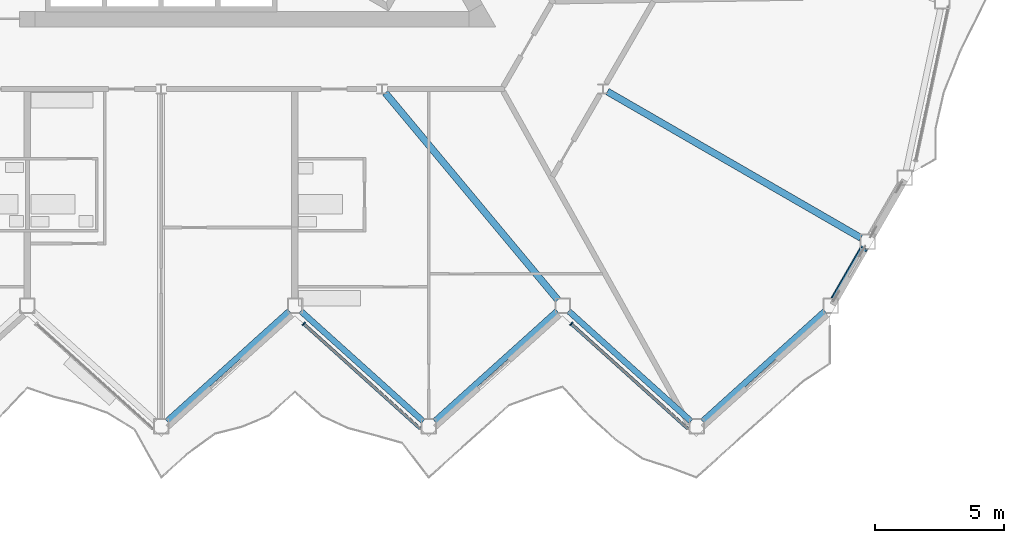
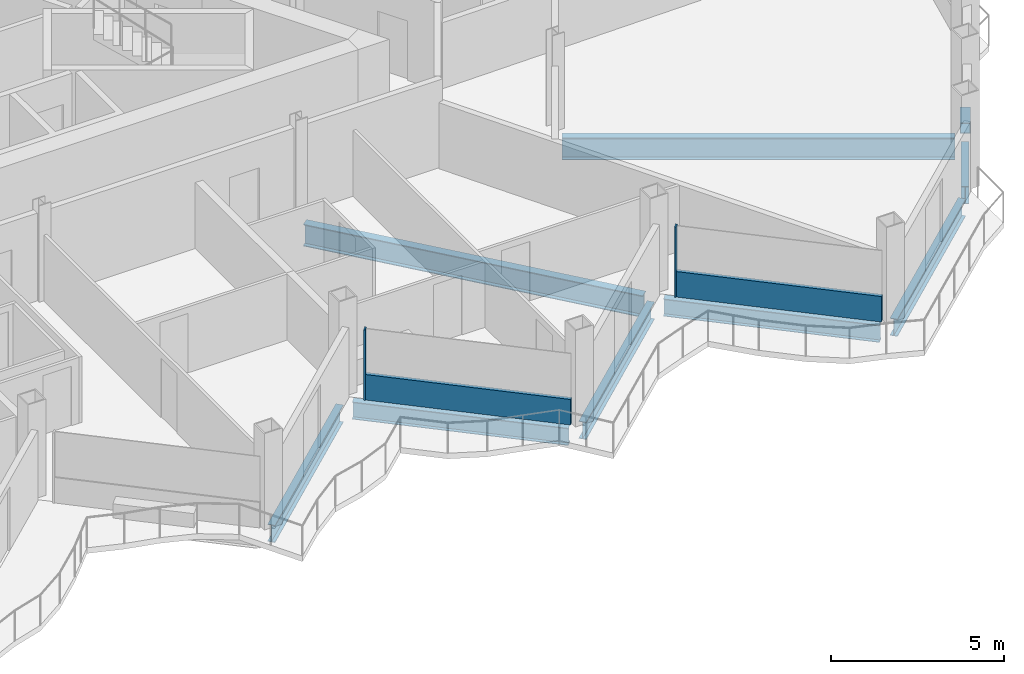
# One storey, part 7 of 26: 8 beams, 5 members, 2 elements without a shape of their own.
"""IFC4 building model written with IfcOpenShell, lengths in metres."""

from ifc_helpers import new_model, si_unit, direction, frame, origin, origin_2d, place, context, subcontext, project, spatial, rectangle, hollow_rectangle, i_section, extrude, material, layer, layer_set, material_profile, profile_set, type_object, element, aggregate, save


model = new_model("IFC4")

# Units and contexts
model_context = context("Model", 3, precision=1e-05, world=origin(), true_north=direction((0.0, 1.0)))
body_context = subcontext(model_context, "Body", "Model", "MODEL_VIEW")
ifc_project = project(units=[si_unit("LENGTHUNIT", "METRE"), si_unit("AREAUNIT", "SQUARE_METRE"), si_unit("VOLUMEUNIT", "CUBIC_METRE"), si_unit("PLANEANGLEUNIT", "RADIAN"), si_unit("MASSUNIT", "GRAM", prefix="KILO")], contexts=[model_context])

# Site, building, storey
site_placement = place(None, origin())
site = spatial("IfcSite", under=ifc_project, at=site_placement, CompositionType="ELEMENT")
building_placement = place(site_placement, origin())
building = spatial("IfcBuilding", under=site, at=building_placement, Name="Cormorant Prow Tower", CompositionType="ELEMENT")
storey_placement = place(building_placement, frame((0.0, 0.0, 329.0)))
storey = spatial("IfcBuildingStorey", under=building, at=storey_placement, Name="L73", CompositionType="ELEMENT", Elevation=329.0)

# Member
ifc_material_1 = material(Name="Structural steel ASTM A500 Gr C", Category="steel")
ifc_material_profile_1 = material_profile(ifc_material_1, hollow_rectangle(XDim=0.3046875, YDim=0.3046875, WallThickness=0.01171875, at=origin_2d()), Name="HSS12x12x1/2")
ifc_profile_set_1 = profile_set([ifc_material_profile_1], Name="Structural steel ASTM A500 Gr C")
member_type_1 = type_object("IfcMemberType", Name="Chamfer brace HSS12x12x1/2", PredefinedType="BRACE", material=ifc_profile_set_1)
member_1_placement = place(storey_placement, frame((27.27490234375, -16.110595703125, 0.7412109375), z_axis=(-0.456265706889, -0.790324476185, 0.408911759503), x_axis=(0.866038851724, -0.499976706761, 0.0)))
element("IfcMember", 1, at=member_1_placement, inside=storey, type_object=member_type_1, Name="Chamfer brace BR3 at ESE00 L73", PredefinedType="BRACE", context=body_context, shape_type="SweptSolid", body=[
    extrude(hollow_rectangle(XDim=0.3046875, YDim=0.3046875, WallThickness=0.01171875, at=origin_2d()), origin(), (0.0, 0.0, 1.0), 2.459228515625),
])

# Beams
ifc_material_2 = material(Name="Structural steel ASTM A992 Gr 50", Category="steel")
ifc_material_profile_2 = material_profile(ifc_material_2, i_section(OverallWidth=0.267822265625, OverallDepth=0.77001953125, WebThickness=0.015625, FlangeThickness=0.025390625, at=origin_2d()), Name="W30x132")
ifc_profile_set_2 = profile_set([ifc_material_profile_2], Name="Structural steel ASTM A992 Gr 50")
beam_type_1 = type_object("IfcBeamType", Name="Radial floor beam W30x132", PredefinedType="BEAM", material=ifc_profile_set_2)
beam_1_placement = place(storey_placement, frame((8.705078125, -10.057373046875, -0.68505859375), z_axis=(0.640239469619, -0.768175384624, 0.0), x_axis=(0.768175384624, 0.640239469619, 0.0)))
element("IfcBeam", 2, at=beam_1_placement, inside=storey, type_object=beam_type_1, Name="Radial floor beam FB3 8 L73", PredefinedType="BEAM", context=body_context, shape_type="SweptSolid", body=[
    extrude(i_section(OverallWidth=0.267822265625, OverallDepth=0.77001953125, WebThickness=0.015625, FlangeThickness=0.025390625, at=origin_2d()), origin(), (0.0, 0.0, 1.0), 10.465087890625),
])
beam_2_placement = place(storey_placement, frame((17.328125, -10.00439453125, -0.68505859375), z_axis=(0.866024637028, -0.500001328059, 0.0), x_axis=(0.500001328059, 0.866024637028, 0.0)))
element("IfcBeam", 3, at=beam_2_placement, inside=storey, type_object=beam_type_1, Name="Radial floor beam FB3 9 L73", PredefinedType="BEAM", context=body_context, shape_type="SweptSolid", body=[
    extrude(i_section(OverallWidth=0.267822265625, OverallDepth=0.77001953125, WebThickness=0.015625, FlangeThickness=0.025390625, at=origin_2d()), origin(), (0.0, 0.0, 1.0), 11.3671875),
])

# Curtain wall, member
ifc_material_3 = material(Name="Aluminium 6063-T6", Category="aluminium")
ifc_layer = layer(ifc_material_3, 0.159912109375)
ifc_layer_set = layer_set([ifc_layer], Name="Aluminium 6063-T6")
curtain_wall_type = type_object("IfcCurtainWallType", Name="Residential unitised curtain wall 160", PredefinedType="NOTDEFINED", material=ifc_layer_set)
curtain_wall_1_placement = place(storey_placement, origin())
curtain_wall_1 = element("IfcCurtainWall", 4, at=curtain_wall_1_placement, inside=storey, type_object=curtain_wall_type, Name="Residential curtain wall S06", PredefinedType="NOTDEFINED")
ifc_material_4 = material(Name="Aluminium 6063-T6", Category="aluminium")
ifc_material_profile_3 = material_profile(ifc_material_4, rectangle(XDim=0.159912109375, YDim=0.050048828125, at=origin_2d()), Name="Residential mullion 50x160")
ifc_profile_set_3 = profile_set([ifc_material_profile_3], Name="Aluminium 6063-T6")
member_type_2 = type_object("IfcMemberType", Name="Residential mullion 50x160", PredefinedType="MULLION", material=ifc_profile_set_3)
member_2_placement = place(storey_placement, frame((5.535888671875, -19.025146484375, 0.0), z_axis=(0.0, 0.0, 1.0), x_axis=(0.669130654479, 0.74314478215, 0.0)))
member_2 = element("IfcMember", 5, at=member_2_placement, type_object=member_type_2, Name="Residential mullion S06", PredefinedType="MULLION", context=body_context, shape_type="SweptSolid", body=[
    extrude(rectangle(XDim=0.159912109375, YDim=0.050048828125, at=origin_2d()), origin(), (0.0, 0.0, 1.0), 2.48779296875),
])

curtain_wall_2_placement = place(storey_placement, origin())
curtain_wall_2 = element("IfcCurtainWall", 6, at=curtain_wall_2_placement, inside=storey, type_object=curtain_wall_type, Name="Residential curtain wall S08", PredefinedType="NOTDEFINED")
member_3_placement = place(storey_placement, frame((15.92529296875, -19.025146484375, 0.0), z_axis=(0.0, 0.0, 1.0), x_axis=(0.669130654479, 0.74314478215, 0.0)))
member_3 = element("IfcMember", 7, at=member_3_placement, type_object=member_type_2, Name="Residential mullion S08", PredefinedType="MULLION", context=body_context, shape_type="SweptSolid", body=[
    extrude(rectangle(XDim=0.159912109375, YDim=0.050048828125, at=origin_2d()), origin(), (0.0, 0.0, 1.0), 2.48779296875),
])

# Member
ifc_material_5 = material(Name="Terracotta", Category="masonry")
ifc_material_profile_4 = material_profile(ifc_material_5, rectangle(XDim=0.1201171875, YDim=0.89990234375, at=origin_2d()), Name="Residential terracotta spandrel rail 120x900")
ifc_profile_set_4 = profile_set([ifc_material_profile_4], Name="Terracotta")
member_type_3 = type_object("IfcMemberType", Name="Residential terracotta spandrel rail 120x900", PredefinedType="USERDEFINED", material=ifc_profile_set_4)
member_4_placement = place(storey_placement, frame((5.554443359375, -19.0419921875, 0.449951171875), z_axis=(0.74314818338, -0.669126877012, 0.0), x_axis=(0.669126877012, 0.74314818338, 0.0)))
member_4 = element("IfcMember", 8, at=member_4_placement, type_object=member_type_3, Name="Residential spandrel rail S06", ObjectType="TRANSOM", PredefinedType="USERDEFINED", context=body_context, shape_type="SweptSolid", body=[
    extrude(rectangle(XDim=0.1201171875, YDim=0.89990234375, at=origin_2d()), origin(), (0.0, 0.0, 1.0), 6.072021484375),
])

aggregate(curtain_wall_1, [member_2, member_4])

member_5_placement = place(storey_placement, frame((15.94384765625, -19.0419921875, 0.449951171875), z_axis=(0.74314818338, -0.669126877012, 0.0), x_axis=(0.669126877012, 0.74314818338, 0.0)))
member_5 = element("IfcMember", 9, at=member_5_placement, type_object=member_type_3, Name="Residential spandrel rail S08", ObjectType="TRANSOM", PredefinedType="USERDEFINED", context=body_context, shape_type="SweptSolid", body=[
    extrude(rectangle(XDim=0.1201171875, YDim=0.89990234375, at=origin_2d()), origin(), (0.0, 0.0, 1.0), 6.072021484375),
])

aggregate(curtain_wall_2, [member_3, member_5])

# Beams
ifc_material_6 = material(Name="Structural steel ASTM A992 Gr 50", Category="steel")
ifc_material_profile_5 = material_profile(ifc_material_6, i_section(OverallWidth=0.22900390625, OverallDepth=0.612060546875, WebThickness=0.011962890625, FlangeThickness=0.01953125, at=origin_2d()), Name="W24x84")
ifc_profile_set_5 = profile_set([ifc_material_profile_5], Name="Structural steel ASTM A992 Gr 50")
beam_type_2 = type_object("IfcBeamType", Name="Spandrel beam W24x84", PredefinedType="SPANDREL", material=ifc_profile_set_5)
for number, where, z_axis, x_axis, name in (
    (10, (0.222900390625, -22.807373046875, -0.60595703125), (0.743144186555, 0.669131315954, 0.0), (-0.669131315954, 0.743144186555, 0.0), "Spandrel beam SB3 S05-S06 L73"),
    (11, (5.422119140625, -18.527587890625, -0.60595703125), (0.743144186555, -0.669131315954, 0.0), (0.669131315954, 0.743144186555, 0.0), "Spandrel beam SB3 S06-S07 L73"),
    (12, (10.62109375, -22.807373046875, -0.60595703125), (0.743144186555, 0.669131315954, 0.0), (-0.669131315954, 0.743144186555, 0.0), "Spandrel beam SB3 S07-S08 L73"),
):
    element("IfcBeam", number, at=place(storey_placement, frame(where, z_axis=z_axis, x_axis=x_axis)), inside=storey, type_object=beam_type_2, Name=name, PredefinedType="SPANDREL", context=body_context, shape_type="SweptSolid", body=[
        extrude(i_section(OverallWidth=0.22900390625, OverallDepth=0.612060546875, WebThickness=0.011962890625, FlangeThickness=0.01953125, at=origin_2d()), origin(), (0.0, 0.0, 1.0), 6.39599609375),
    ])
beam_3_placement = place(storey_placement, frame((15.820068359375, -18.527587890625, -0.60595703125), z_axis=(0.743161276225, -0.669112335502, 0.0), x_axis=(0.669112335502, 0.743161276225, 0.0)))
element("IfcBeam", 13, at=beam_3_placement, inside=storey, type_object=beam_type_2, Name="Spandrel beam SB3 S08-S09 L73", PredefinedType="SPANDREL", context=body_context, shape_type="SweptSolid", body=[
    extrude(i_section(OverallWidth=0.22900390625, OverallDepth=0.612060546875, WebThickness=0.011962890625, FlangeThickness=0.01953125, at=origin_2d()), origin(), (0.0, 0.0, 1.0), 6.396240234375),
])
beam_4_placement = place(storey_placement, frame((21.019287109375, -22.807373046875, -0.60595703125), z_axis=(0.743144186555, 0.669131315954, 0.0), x_axis=(-0.669131315954, 0.743144186555, 0.0)))
element("IfcBeam", 14, at=beam_4_placement, inside=storey, type_object=beam_type_2, Name="Spandrel beam SB3 S09-ESE00 L73", PredefinedType="SPANDREL", context=body_context, shape_type="SweptSolid", body=[
    extrude(i_section(OverallWidth=0.22900390625, OverallDepth=0.612060546875, WebThickness=0.011962890625, FlangeThickness=0.01953125, at=origin_2d()), origin(), (0.0, 0.0, 1.0), 6.39599609375),
])
beam_5_placement = place(storey_placement, frame((26.1455078125, -18.06689453125, -0.60595703125), z_axis=(0.49997342893, 0.866040744055, 0.0), x_axis=(-0.866040744055, 0.49997342893, 0.0)))
element("IfcBeam", 15, at=beam_5_placement, inside=storey, type_object=beam_type_2, Name="Spandrel beam SB3 ESE00-ESE01 L73", PredefinedType="SPANDREL", context=body_context, shape_type="SweptSolid", body=[
    extrude(i_section(OverallWidth=0.22900390625, OverallDepth=0.612060546875, WebThickness=0.011962890625, FlangeThickness=0.01953125, at=origin_2d()), origin(), (0.0, 0.0, 1.0), 2.2734375),
])

save(model, "model.ifc")
